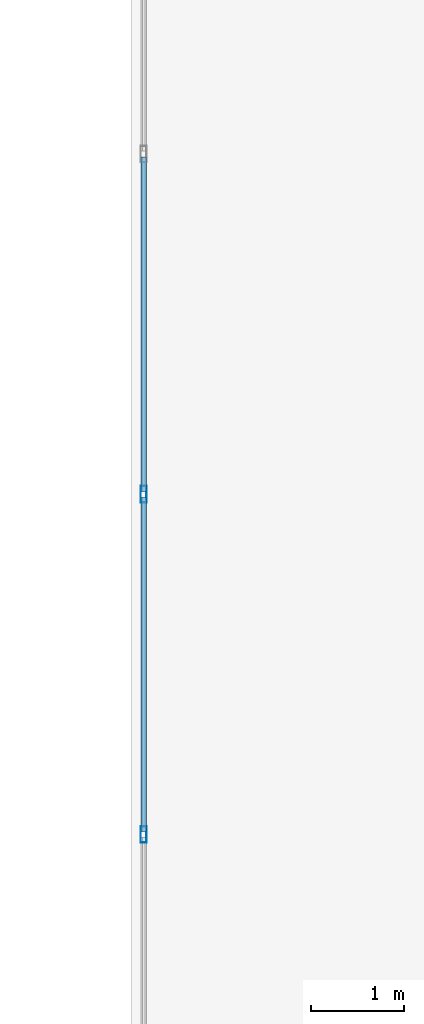
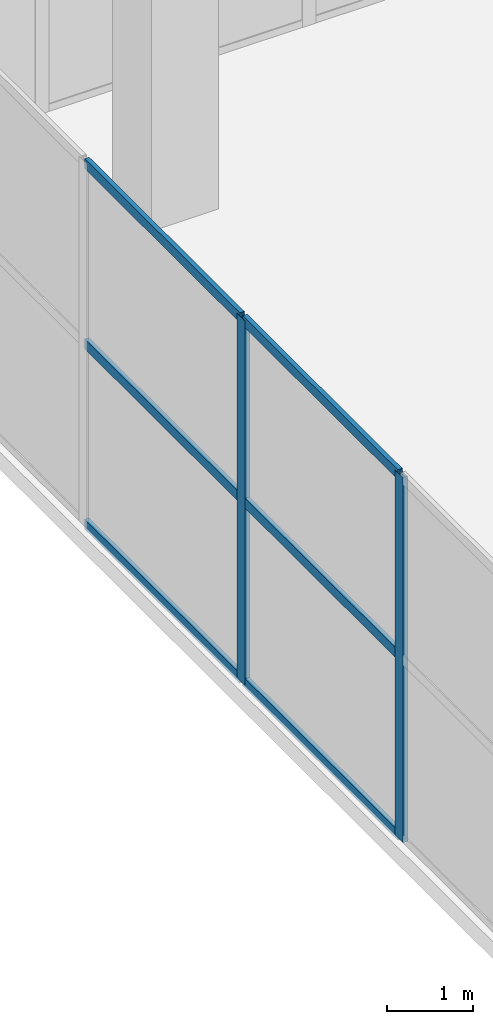
# One storey, part 12 of 37: 8 members, 1 element without a shape of its own.
"""IFC4 building model written with IfcOpenShell, lengths in metres."""

from ifc_helpers import new_model, si_unit, direction, frame, origin, origin_2d, place, context, subcontext, project, spatial, hollow_rectangle, extrude, material, layer, layer_set, material_profile, profile_set, type_object, element, aggregate, save


model = new_model("IFC4")

# Units and contexts
model_context = context("Model", 3, precision=1e-05, world=origin(), true_north=direction((0.0, 1.0)))
body_context = subcontext(model_context, "Body", "Model", "MODEL_VIEW")
ifc_project = project(units=[si_unit("LENGTHUNIT", "METRE"), si_unit("AREAUNIT", "SQUARE_METRE"), si_unit("VOLUMEUNIT", "CUBIC_METRE"), si_unit("PLANEANGLEUNIT", "RADIAN"), si_unit("MASSUNIT", "GRAM", prefix="KILO")], contexts=[model_context])

# Site, building, storey
site_placement = place(None, origin())
site = spatial("IfcSite", under=ifc_project, at=site_placement, CompositionType="ELEMENT")
building_placement = place(site_placement, origin())
building = spatial("IfcBuilding", under=site, at=building_placement, Name="Haolan Belvedere Tower", CompositionType="ELEMENT")
storey_placement = place(building_placement, frame((0.0, 0.0, 10.199951171875)))
storey = spatial("IfcBuildingStorey", under=building, at=storey_placement, Name="L02", CompositionType="ELEMENT", Elevation=10.199951171875)

# Curtain wall, members
ifc_material_1 = material(Name="Anodised champagne-silver aluminium 6063-T6 and Low-E glass", Category="aluminium")
ifc_layer = layer(ifc_material_1, 0.179931640625, Name="Anodised champagne-silver aluminium 6063-T6 and Low-E glass")
ifc_layer_set = layer_set([ifc_layer], Name="Anodised champagne-silver aluminium 6063-T6 and Low-E glass")
curtain_wall_type = type_object("IfcCurtainWallType", Name="CW-SYS-01", PredefinedType="NOTDEFINED", material=ifc_layer_set)
curtain_wall_placement = place(storey_placement, origin())
curtain_wall = element("IfcCurtainWall", 1, at=curtain_wall_placement, inside=storey, type_object=curtain_wall_type, Name="L02 CW-SYS-01 ribbon curtain wall 4.1", PredefinedType="NOTDEFINED")
ifc_material_2 = material(Name="Anodised aluminium 6063-T6", Category="aluminium")
ifc_material_profile_1 = material_profile(ifc_material_2, hollow_rectangle(XDim=0.06494140625, YDim=0.179931640625, WallThickness=0.00390625, at=origin_2d()), Name="Anodised aluminium 6063-T6")
ifc_profile_set_1 = profile_set([ifc_material_profile_1], Name="Anodised aluminium 6063-T6")
member_type_1 = type_object("IfcMemberType", Name="CW-SYS-01-MUL", PredefinedType="MULLION", material=ifc_profile_set_1)
member_1_placement = place(storey_placement, frame((2.530029296875, 42.745849609375, 0.0), z_axis=(0.0, 0.0, 1.0), x_axis=(1.0, 0.0, 0.0)))
member_1 = element("IfcMember", 2, at=member_1_placement, type_object=member_type_1, Name="CW-01 mullion 4", PredefinedType="MULLION", context=body_context, shape_type="SweptSolid", body=[
    extrude(hollow_rectangle(XDim=0.06494140625, YDim=0.179931640625, WallThickness=0.00390625, at=origin_2d()), origin(), (0.0, 0.0, 1.0), 5.16015625),
])
member_2_placement = place(storey_placement, frame((2.530029296875, 39.084716796875, 0.0), z_axis=(0.0, 0.0, 1.0), x_axis=(1.0, 0.0, 0.0)))
member_2 = element("IfcMember", 3, at=member_2_placement, type_object=member_type_1, Name="CW-01 mullion 5", PredefinedType="MULLION", context=body_context, shape_type="SweptSolid", body=[
    extrude(hollow_rectangle(XDim=0.06494140625, YDim=0.179931640625, WallThickness=0.00390625, at=origin_2d()), origin(), (0.0, 0.0, 1.0), 5.16015625),
])
ifc_material_profile_2 = material_profile(ifc_material_2, hollow_rectangle(XDim=0.06005859375, YDim=0.139892578125, WallThickness=0.00390625, at=origin_2d()), Name="Anodised aluminium 6063-T6")
ifc_profile_set_2 = profile_set([ifc_material_profile_2], Name="Anodised aluminium 6063-T6")
member_type_2 = type_object("IfcMemberType", Name="CW-SYS-01-TRN", PredefinedType="USERDEFINED", material=ifc_profile_set_2)
member_3_placement = place(storey_placement, frame((2.530029296875, 46.374755859375, 0.030029296875), z_axis=(0.0, -1.0, 0.0), x_axis=(1.0, 0.0, 0.0)))
member_3 = element("IfcMember", 4, at=member_3_placement, type_object=member_type_2, Name="CW-01 transom 3.1", ObjectType="TRANSOM", PredefinedType="USERDEFINED", context=body_context, shape_type="SweptSolid", body=[
    extrude(hollow_rectangle(XDim=0.06005859375, YDim=0.139892578125, WallThickness=0.00390625, at=origin_2d()), origin(), (0.0, 0.0, 1.0), 3.59619140625),
])
member_4_placement = place(storey_placement, frame((2.530029296875, 46.374755859375, 2.580078125), z_axis=(0.0, -1.0, 0.0), x_axis=(1.0, 0.0, 0.0)))
member_4 = element("IfcMember", 5, at=member_4_placement, type_object=member_type_2, Name="CW-01 transom 3.2", ObjectType="TRANSOM", PredefinedType="USERDEFINED", context=body_context, shape_type="SweptSolid", body=[
    extrude(hollow_rectangle(XDim=0.06005859375, YDim=0.139892578125, WallThickness=0.00390625, at=origin_2d()), origin(), (0.0, 0.0, 1.0), 3.59619140625),
])
member_5_placement = place(storey_placement, frame((2.530029296875, 46.374755859375, 5.130126953125), z_axis=(0.0, -1.0, 0.0), x_axis=(1.0, 0.0, 0.0)))
member_5 = element("IfcMember", 6, at=member_5_placement, type_object=member_type_2, Name="CW-01 transom 3.3", ObjectType="TRANSOM", PredefinedType="USERDEFINED", context=body_context, shape_type="SweptSolid", body=[
    extrude(hollow_rectangle(XDim=0.06005859375, YDim=0.139892578125, WallThickness=0.00390625, at=origin_2d()), origin(), (0.0, 0.0, 1.0), 3.59619140625),
])
member_6_placement = place(storey_placement, frame((2.530029296875, 42.71337890625, 0.030029296875), z_axis=(0.0, -1.0, 0.0), x_axis=(1.0, 0.0, 0.0)))
member_6 = element("IfcMember", 7, at=member_6_placement, type_object=member_type_2, Name="CW-01 transom 4.1", ObjectType="TRANSOM", PredefinedType="USERDEFINED", context=body_context, shape_type="SweptSolid", body=[
    extrude(hollow_rectangle(XDim=0.06005859375, YDim=0.139892578125, WallThickness=0.00390625, at=origin_2d()), origin(), (0.0, 0.0, 1.0), 3.59619140625),
])
member_7_placement = place(storey_placement, frame((2.530029296875, 42.71337890625, 2.580078125), z_axis=(0.0, -1.0, 0.0), x_axis=(1.0, 0.0, 0.0)))
member_7 = element("IfcMember", 8, at=member_7_placement, type_object=member_type_2, Name="CW-01 transom 4.2", ObjectType="TRANSOM", PredefinedType="USERDEFINED", context=body_context, shape_type="SweptSolid", body=[
    extrude(hollow_rectangle(XDim=0.06005859375, YDim=0.139892578125, WallThickness=0.00390625, at=origin_2d()), origin(), (0.0, 0.0, 1.0), 3.59619140625),
])
member_8_placement = place(storey_placement, frame((2.530029296875, 42.71337890625, 5.130126953125), z_axis=(0.0, -1.0, 0.0), x_axis=(1.0, 0.0, 0.0)))
member_8 = element("IfcMember", 9, at=member_8_placement, type_object=member_type_2, Name="CW-01 transom 4.3", ObjectType="TRANSOM", PredefinedType="USERDEFINED", context=body_context, shape_type="SweptSolid", body=[
    extrude(hollow_rectangle(XDim=0.06005859375, YDim=0.139892578125, WallThickness=0.00390625, at=origin_2d()), origin(), (0.0, 0.0, 1.0), 3.59619140625),
])
aggregate(curtain_wall, [member_1, member_2, member_3, member_4, member_5, member_6, member_7, member_8])

save(model, "model.ifc")
